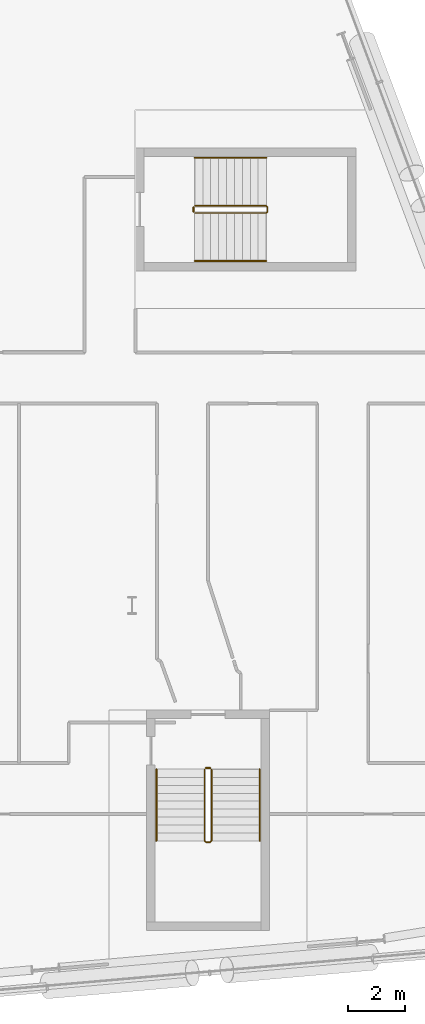
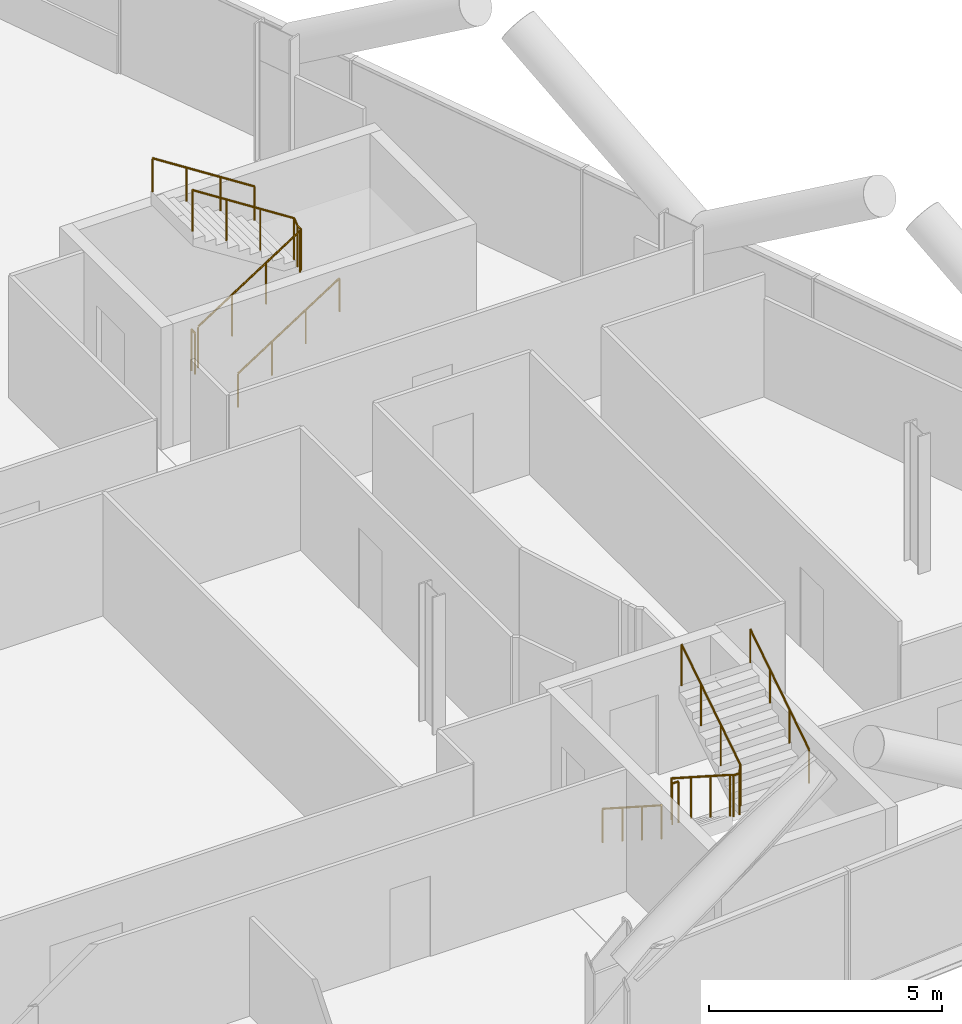
# One storey, part 28 of 28: 8 railings.
"""IFC4 building model written with IfcOpenShell, lengths in metres."""

from ifc_helpers import new_model, si_unit, direction, frame, origin, origin_2d, place, context, subcontext, project, spatial, circle, extrude, material, type_object, element, save


model = new_model("IFC4")

# Units and contexts
model_context = context("Model", 3, precision=1e-05, world=origin(), true_north=direction((0.0, 1.0)))
body_context = subcontext(model_context, "Body", "Model", "MODEL_VIEW")
ifc_project = project(units=[si_unit("LENGTHUNIT", "METRE"), si_unit("AREAUNIT", "SQUARE_METRE"), si_unit("VOLUMEUNIT", "CUBIC_METRE"), si_unit("PLANEANGLEUNIT", "RADIAN"), si_unit("MASSUNIT", "GRAM", prefix="KILO")], contexts=[model_context])

# Site, building, storey
site_placement = place(None, origin())
site = spatial("IfcSite", under=ifc_project, at=site_placement, CompositionType="ELEMENT")
building_placement = place(site_placement, origin())
building = spatial("IfcBuilding", under=site, at=building_placement, Name="Wharfspan Tower", CompositionType="ELEMENT")
storey_placement = place(building_placement, frame((0.0, 0.0, 52.300049)))
storey = spatial("IfcBuildingStorey", under=building, at=storey_placement, Name="L09", CompositionType="ELEMENT", Elevation=52.300049)

# Railings
ifc_material = material(Name="Steel S355J2", Category="steel")
railing_type_1 = type_object("IfcRailingType", Name="Stair guard 1100", PredefinedType="GUARDRAIL", material=ifc_material)
railing_1_placement = place(storey_placement, frame((74.567383, 5.691895, 0.179932)))
element("IfcRailing", 1, at=railing_1_placement, inside=storey, type_object=railing_type_1, Name="L09 ST5 stair guard 1", PredefinedType="GUARDRAIL", context=body_context, shape_type="SweptSolid", body=[
    extrude(circle(Radius=0.023926, at=origin_2d()), frame((0.0, 0.0, 1.076172), z_axis=(0.0, -0.841139, 0.540819), x_axis=(1.0, 0.0, 0.0)), (0.0, 0.0, 1.0), 2.995605),
    extrude(circle(Radius=0.023926, at=origin_2d()), frame((0.0, -2.519775, 2.696289), z_axis=(0.707107, -0.707107, 0.0), x_axis=(0.707107, 0.707107, 0.0)), (0.0, 0.0, 1.0), 0.070801),
    extrude(circle(Radius=0.023926, at=origin_2d()), frame((0.050049, -2.569824, 2.696289), z_axis=(1.0, 0.0, 0.0), x_axis=(0.0, 1.0, 0.0)), (0.0, 0.0, 1.0), 0.150146),
    extrude(circle(Radius=0.023926, at=origin_2d()), frame((0.200195, -2.569824, 2.696289), z_axis=(0.257669, 0.258932, 0.930892), x_axis=(-0.708833, 0.705372, 1e-06)), (0.0, 0.0, 1.0), 0.193359),
    extrude(circle(Radius=0.023926, at=origin_2d()), frame((0.25, -2.519775, 2.875977), z_axis=(0.0, 0.841176, 0.540762), x_axis=(-1.0, 0.0, 0.0)), (0.0, 0.0, 1.0), 2.995605),
    extrude(circle(Radius=0.020996, at=origin_2d()), origin(), (0.0, 0.0, 1.0), 1.052002),
    extrude(circle(Radius=0.020996, at=origin_2d()), frame((0.0, -0.839844, 0.540039)), (0.0, 0.0, 1.0), 1.052002),
    extrude(circle(Radius=0.020996, at=origin_2d()), frame((0.0, -1.679932, 1.080078)), (0.0, 0.0, 1.0), 1.052002),
    extrude(circle(Radius=0.020996, at=origin_2d()), frame((0.0, -2.519775, 1.620117)), (0.0, 0.0, 1.0), 1.052002),
    extrude(circle(Radius=0.020996, at=origin_2d()), frame((0.050049, -2.569824, 1.620117)), (0.0, 0.0, 1.0), 1.052002),
    extrude(circle(Radius=0.020996, at=origin_2d()), frame((0.200195, -2.569824, 1.620117)), (0.0, 0.0, 1.0), 1.052002),
    extrude(circle(Radius=0.020996, at=origin_2d()), frame((0.25, -2.519775, 1.800049)), (0.0, 0.0, 1.0), 1.052002),
    extrude(circle(Radius=0.020996, at=origin_2d()), frame((0.25, -1.679932, 2.340088)), (0.0, 0.0, 1.0), 1.052002),
    extrude(circle(Radius=0.020996, at=origin_2d()), frame((0.25, -0.839844, 2.879883)), (0.0, 0.0, 1.0), 1.052002),
    extrude(circle(Radius=0.020996, at=origin_2d()), frame((0.25, 0.0, 3.419922)), (0.0, 0.0, 1.0), 1.052002),
])
railing_2_placement = place(storey_placement, frame((74.617432, 5.741943, 0.0)))
element("IfcRailing", 2, at=railing_2_placement, inside=storey, type_object=railing_type_1, Name="L09 ST5 stair guard 2", PredefinedType="GUARDRAIL", context=body_context, shape_type="SweptSolid", body=[
    extrude(circle(Radius=0.023926, at=origin_2d()), frame((0.0, 0.0, 1.076172), z_axis=(1.0, 0.0, 0.0), x_axis=(0.0, 1.0, 0.0)), (0.0, 0.0, 1.0), 0.150146),
    extrude(circle(Radius=0.020996, at=origin_2d()), origin(), (0.0, 0.0, 1.0), 1.052002),
    extrude(circle(Radius=0.020996, at=origin_2d()), frame((0.150146, 0.0, 0.0)), (0.0, 0.0, 1.0), 1.052002),
])
railing_3_placement = place(storey_placement, frame((74.225098, 25.375, 0.179932)))
element("IfcRailing", 3, at=railing_3_placement, inside=storey, type_object=railing_type_1, Name="L09 ST6 stair guard 1", PredefinedType="GUARDRAIL", context=body_context, shape_type="SweptSolid", body=[
    extrude(circle(Radius=0.023926, at=origin_2d()), frame((0.0, 0.0, 1.076172), z_axis=(0.841163, 0.0, 0.540782), x_axis=(0.0, 1.0, 0.0)), (0.0, 0.0, 1.0), 2.99585),
    extrude(circle(Radius=0.023926, at=origin_2d()), frame((2.52002, 0.0, 2.696289), z_axis=(0.705376, 0.708834, 0.0), x_axis=(-0.708834, 0.705376, 0.0)), (0.0, 0.0, 1.0), 0.070557),
    extrude(circle(Radius=0.023926, at=origin_2d()), frame((2.569824, 0.050049, 2.696289), z_axis=(0.0, 1.0, 0.0), x_axis=(-1.0, 0.0, 0.0)), (0.0, 0.0, 1.0), 0.149902),
    extrude(circle(Radius=0.023926, at=origin_2d()), frame((2.569824, 0.199951, 2.696289), z_axis=(-0.257669, 0.258932, 0.930892), x_axis=(-0.708833, -0.705372, -1e-06)), (0.0, 0.0, 1.0), 0.193359),
    extrude(circle(Radius=0.023926, at=origin_2d()), frame((2.52002, 0.25, 2.875977), z_axis=(-0.8412, 0.0, 0.540725), x_axis=(0.0, -1.0, 0.0)), (0.0, 0.0, 1.0), 2.99585),
    extrude(circle(Radius=0.020996, at=origin_2d()), origin(), (0.0, 0.0, 1.0), 1.052002),
    extrude(circle(Radius=0.020996, at=origin_2d()), frame((0.840088, 0.0, 0.540039)), (0.0, 0.0, 1.0), 1.052002),
    extrude(circle(Radius=0.020996, at=origin_2d()), frame((1.679932, 0.0, 1.080078)), (0.0, 0.0, 1.0), 1.052002),
    extrude(circle(Radius=0.020996, at=origin_2d()), frame((2.52002, 0.0, 1.620117)), (0.0, 0.0, 1.0), 1.052002),
    extrude(circle(Radius=0.020996, at=origin_2d()), frame((2.569824, 0.050049, 1.620117)), (0.0, 0.0, 1.0), 1.052002),
    extrude(circle(Radius=0.020996, at=origin_2d()), frame((2.569824, 0.199951, 1.620117)), (0.0, 0.0, 1.0), 1.052002),
    extrude(circle(Radius=0.020996, at=origin_2d()), frame((2.52002, 0.25, 1.800049)), (0.0, 0.0, 1.0), 1.052002),
    extrude(circle(Radius=0.020996, at=origin_2d()), frame((1.679932, 0.25, 2.340088)), (0.0, 0.0, 1.0), 1.052002),
    extrude(circle(Radius=0.020996, at=origin_2d()), frame((0.840088, 0.25, 2.879883)), (0.0, 0.0, 1.0), 1.052002),
    extrude(circle(Radius=0.020996, at=origin_2d()), frame((0.0, 0.25, 3.419922)), (0.0, 0.0, 1.0), 1.052002),
])
railing_4_placement = place(storey_placement, frame((74.175049, 25.425049, 0.0)))
element("IfcRailing", 4, at=railing_4_placement, inside=storey, type_object=railing_type_1, Name="L09 ST6 stair guard 2", PredefinedType="GUARDRAIL", context=body_context, shape_type="SweptSolid", body=[
    extrude(circle(Radius=0.023926, at=origin_2d()), frame((0.0, 0.0, 1.076172), z_axis=(0.0, 1.0, 0.0), x_axis=(-1.0, 0.0, 0.0)), (0.0, 0.0, 1.0), 0.149902),
    extrude(circle(Radius=0.020996, at=origin_2d()), origin(), (0.0, 0.0, 1.0), 1.052002),
    extrude(circle(Radius=0.020996, at=origin_2d()), frame((0.0, 0.149902, 0.0)), (0.0, 0.0, 1.0), 1.052002),
])
railing_type_2 = type_object("IfcRailingType", Name="Stair handrail 900", PredefinedType="HANDRAIL", material=ifc_material)
railing_5_placement = place(storey_placement, frame((72.867432, 5.691895, 0.179932)))
element("IfcRailing", 5, at=railing_5_placement, inside=storey, type_object=railing_type_2, Name="L09 ST5 stair handrail 1", PredefinedType="HANDRAIL", context=body_context, shape_type="SweptSolid", body=[
    extrude(circle(Radius=0.023926, at=origin_2d()), frame((0.0, 0.0, 0.875977), z_axis=(0.0, -0.841139, 0.540819), x_axis=(1.0, 0.0, 0.0)), (0.0, 0.0, 1.0), 2.995605),
    extrude(circle(Radius=0.020996, at=origin_2d()), origin(), (0.0, 0.0, 1.0), 0.851807),
    extrude(circle(Radius=0.020996, at=origin_2d()), frame((0.0, -0.839844, 0.540039)), (0.0, 0.0, 1.0), 0.851807),
    extrude(circle(Radius=0.020996, at=origin_2d()), frame((0.0, -1.679932, 1.080078)), (0.0, 0.0, 1.0), 0.851807),
    extrude(circle(Radius=0.020996, at=origin_2d()), frame((0.0, -2.519775, 1.620117)), (0.0, 0.0, 1.0), 0.851807),
])
railing_6_placement = place(storey_placement, frame((76.517578, 3.172119, 1.97998)))
element("IfcRailing", 6, at=railing_6_placement, inside=storey, type_object=railing_type_2, Name="L09 ST5 stair handrail 2", PredefinedType="HANDRAIL", context=body_context, shape_type="SweptSolid", body=[
    extrude(circle(Radius=0.023926, at=origin_2d()), frame((0.0, 0.0, 0.875977), z_axis=(0.0, 0.841176, 0.540762), x_axis=(-1.0, 0.0, 0.0)), (0.0, 0.0, 1.0), 2.995605),
    extrude(circle(Radius=0.020996, at=origin_2d()), origin(), (0.0, 0.0, 1.0), 0.851807),
    extrude(circle(Radius=0.020996, at=origin_2d()), frame((0.0, 0.839844, 0.540039)), (0.0, 0.0, 1.0), 0.851807),
    extrude(circle(Radius=0.020996, at=origin_2d()), frame((0.0, 1.679932, 1.079834)), (0.0, 0.0, 1.0), 0.851807),
    extrude(circle(Radius=0.020996, at=origin_2d()), frame((0.0, 2.519775, 1.619873)), (0.0, 0.0, 1.0), 0.851807),
])
railing_7_placement = place(storey_placement, frame((74.225098, 23.675049, 0.179932)))
element("IfcRailing", 7, at=railing_7_placement, inside=storey, type_object=railing_type_2, Name="L09 ST6 stair handrail 1", PredefinedType="HANDRAIL", context=body_context, shape_type="SweptSolid", body=[
    extrude(circle(Radius=0.023926, at=origin_2d()), frame((0.0, 0.0, 0.875977), z_axis=(0.841163, 0.0, 0.540782), x_axis=(0.0, 1.0, 0.0)), (0.0, 0.0, 1.0), 2.99585),
    extrude(circle(Radius=0.020996, at=origin_2d()), origin(), (0.0, 0.0, 1.0), 0.851807),
    extrude(circle(Radius=0.020996, at=origin_2d()), frame((0.840088, 0.0, 0.540039)), (0.0, 0.0, 1.0), 0.851807),
    extrude(circle(Radius=0.020996, at=origin_2d()), frame((1.679932, 0.0, 1.080078)), (0.0, 0.0, 1.0), 0.851807),
    extrude(circle(Radius=0.020996, at=origin_2d()), frame((2.52002, 0.0, 1.620117)), (0.0, 0.0, 1.0), 0.851807),
])
railing_8_placement = place(storey_placement, frame((76.745117, 27.324951, 1.97998)))
element("IfcRailing", 8, at=railing_8_placement, inside=storey, type_object=railing_type_2, Name="L09 ST6 stair handrail 2", PredefinedType="HANDRAIL", context=body_context, shape_type="SweptSolid", body=[
    extrude(circle(Radius=0.023926, at=origin_2d()), frame((0.0, 0.0, 0.875977), z_axis=(-0.8412, 0.0, 0.540725), x_axis=(0.0, -1.0, 0.0)), (0.0, 0.0, 1.0), 2.99585),
    extrude(circle(Radius=0.020996, at=origin_2d()), origin(), (0.0, 0.0, 1.0), 0.851807),
    extrude(circle(Radius=0.020996, at=origin_2d()), frame((-0.840088, 0.0, 0.540039)), (0.0, 0.0, 1.0), 0.851807),
    extrude(circle(Radius=0.020996, at=origin_2d()), frame((-1.679932, 0.0, 1.079834)), (0.0, 0.0, 1.0), 0.851807),
    extrude(circle(Radius=0.020996, at=origin_2d()), frame((-2.52002, 0.0, 1.619873)), (0.0, 0.0, 1.0), 0.851807),
])

save(model, "model.ifc")
